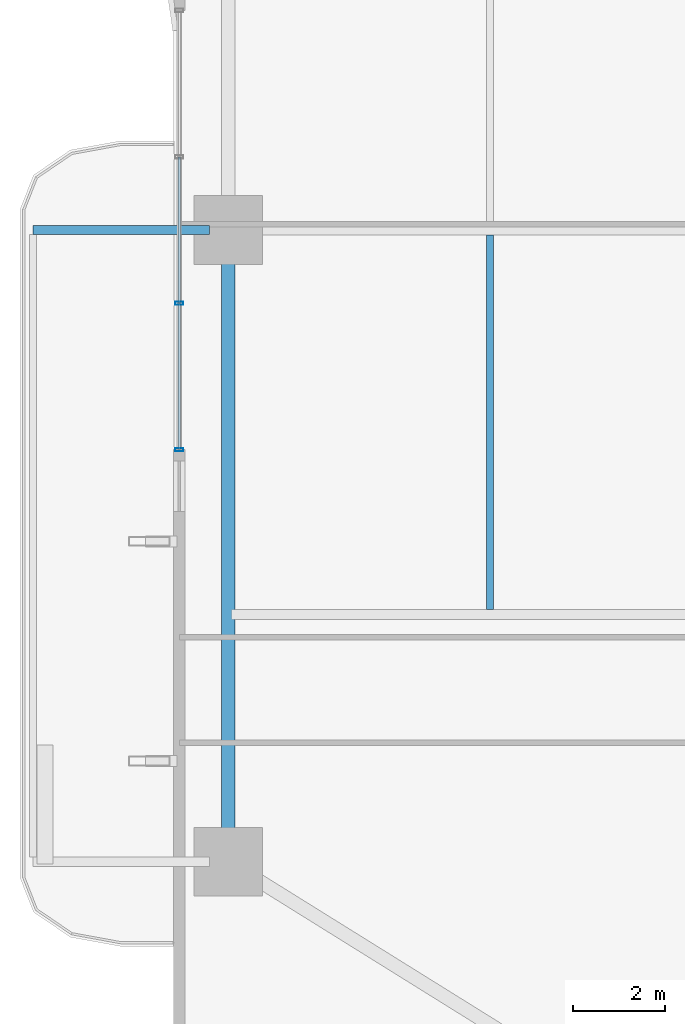
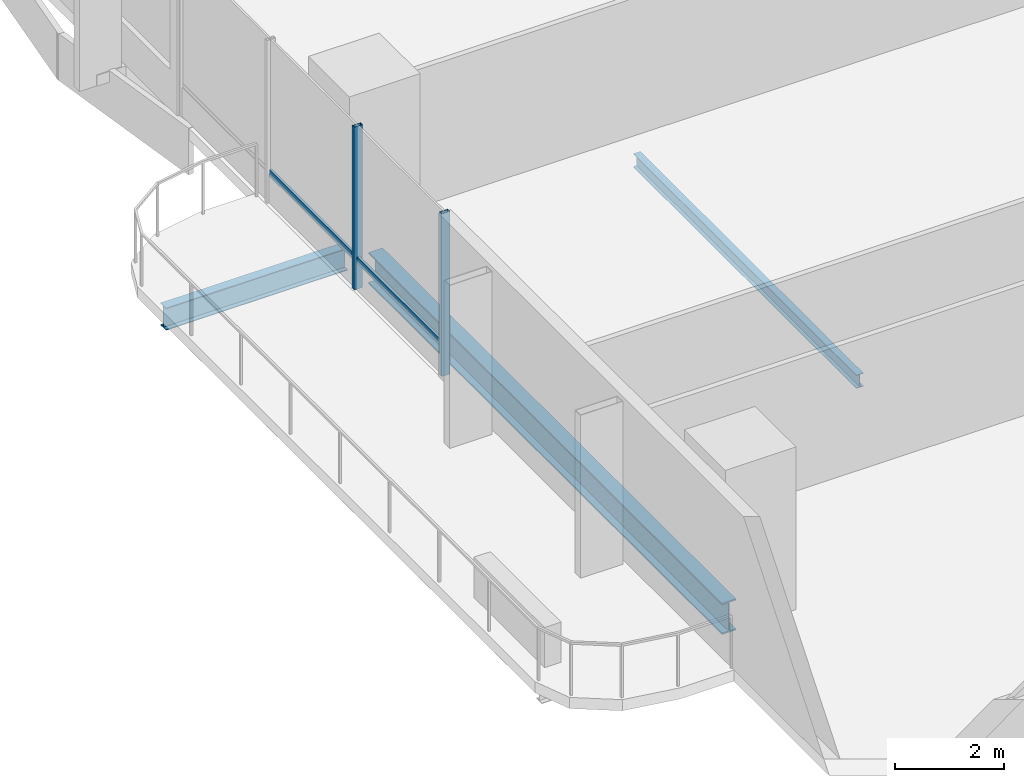
# One storey, part 4 of 24: 4 members, 3 beams, 1 element without a shape of its own.
"""IFC4 building model written with IfcOpenShell, lengths in metres."""

from ifc_helpers import new_model, si_unit, direction, frame, origin, origin_2d, place, context, subcontext, project, spatial, hollow_rectangle, i_section, extrude, material, layer, layer_set, material_profile, profile_set, type_object, element, aggregate, save


model = new_model("IFC4")

# Units and contexts
model_context = context("Model", 3, precision=1e-05, world=origin(), true_north=direction((0.0, 1.0)))
body_context = subcontext(model_context, "Body", "Model", "MODEL_VIEW")
ifc_project = project(units=[si_unit("LENGTHUNIT", "METRE"), si_unit("AREAUNIT", "SQUARE_METRE"), si_unit("VOLUMEUNIT", "CUBIC_METRE"), si_unit("PLANEANGLEUNIT", "RADIAN"), si_unit("MASSUNIT", "GRAM", prefix="KILO")], contexts=[model_context])

# Site, building, storey
site_placement = place(None, origin())
site = spatial("IfcSite", under=ifc_project, at=site_placement, CompositionType="ELEMENT")
building_placement = place(site_placement, origin())
building = spatial("IfcBuilding", under=site, at=building_placement, Name="Belovzor Exchange Tower", CompositionType="ELEMENT")
storey_placement = place(building_placement, frame((0.0, 0.0, 92.39990234375)))
storey = spatial("IfcBuildingStorey", under=building, at=storey_placement, Name="L22", CompositionType="ELEMENT", Elevation=92.39990234375)

# Beams
ifc_material_1 = material(Name="Steel S355", Category="steel")
ifc_material_profile_1 = material_profile(ifc_material_1, i_section(OverallWidth=0.199951171875, OverallDepth=0.5, WebThickness=0.01025390625, FlangeThickness=0.01611328125, at=origin_2d()))
ifc_profile_set_1 = profile_set([ifc_material_profile_1], Name="Steel S355")
beam_type_1 = type_object("IfcBeamType", Name="Planted Balcony Cantilever Beam IPE 500", PredefinedType="BEAM", material=ifc_profile_set_1)
beam_1_placement = place(storey_placement, frame((1.68798828125, 28.800048828125, -0.5), z_axis=(-1.0, 0.0, 0.0), x_axis=(0.0, -1.0, 0.0)))
element("IfcBeam", 1, at=beam_1_placement, inside=storey, type_object=beam_type_1, Name="BC-500 Planted Balcony Cantilever Beam IPE 500", PredefinedType="BEAM", context=body_context, shape_type="SweptSolid", body=[
    extrude(i_section(OverallWidth=0.199951171875, OverallDepth=0.5, WebThickness=0.01025390625, FlangeThickness=0.01611328125, at=origin_2d()), origin(), (0.0, 0.0, 1.0), 3.85009765625),
])
ifc_material_2 = material(Name="Steel S355", Category="steel")
ifc_material_profile_2 = material_profile(ifc_material_2, i_section(OverallWidth=0.14990234375, OverallDepth=0.300048828125, WebThickness=0.007080078125, FlangeThickness=0.0107421875, at=origin_2d()))
ifc_profile_set_2 = profile_set([ifc_material_profile_2], Name="Steel S355")
beam_type_2 = type_object("IfcBeamType", Name="Secondary Trim Floor Joist IPE 300", PredefinedType="BEAM", material=ifc_profile_set_2)
beam_2_placement = place(storey_placement, frame((7.81494140625, 20.5048828125, -0.39990234375), z_axis=(0.0, 1.0, 0.0), x_axis=(-1.0, 0.0, 0.0)))
element("IfcBeam", 2, at=beam_2_placement, inside=storey, type_object=beam_type_2, Name="FJ-300 Secondary Trim Floor Joist IPE 300", PredefinedType="BEAM", context=body_context, shape_type="SweptSolid", body=[
    extrude(i_section(OverallWidth=0.14990234375, OverallDepth=0.300048828125, WebThickness=0.007080078125, FlangeThickness=0.0107421875, at=origin_2d()), origin(), (0.0, 0.0, 1.0), 8.190185546875),
])

# Curtain wall, members
ifc_material_3 = material(Name="Anodised Aluminium Framing", Category="aluminium")
ifc_layer = layer(ifc_material_3, 0.179931640625)
ifc_layer_set = layer_set([ifc_layer], Name="Anodised Aluminium Framing")
curtain_wall_type = type_object("IfcCurtainWallType", Name="Recessed Loggia Low-Iron Triple-Glazed Curtain Wall", PredefinedType="NOTDEFINED", material=ifc_layer_set)
curtain_wall_placement = place(storey_placement, origin())
curtain_wall = element("IfcCurtainWall", 3, at=curtain_wall_placement, inside=storey, type_object=curtain_wall_type, Name="CW3 Recessed Loggia Low-Iron Triple-Glazed Curtain Wall L22", PredefinedType="NOTDEFINED")
ifc_material_4 = material(Name="Steel S355", Category="steel")
ifc_material_profile_3 = material_profile(ifc_material_4, hollow_rectangle(XDim=0.074951171875, YDim=0.179931640625, WallThickness=0.0048828125, at=origin_2d()))
ifc_profile_set_3 = profile_set([ifc_material_profile_3], Name="Steel S355")
member_type_1 = type_object("IfcMemberType", Name="Thermally Broken Curtain Wall Mullion 180x75", PredefinedType="MULLION", material=ifc_profile_set_3)
member_1_placement = place(storey_placement, frame((1.030029296875, 24.0, 0.0), z_axis=(0.0, 0.0, 1.0), x_axis=(0.0, 1.0, 0.0)))
member_1 = element("IfcMember", 4, at=member_1_placement, type_object=member_type_1, Name="CW-M180 Curtain Wall Mullion 1", PredefinedType="MULLION", context=body_context, shape_type="SweptSolid", body=[
    extrude(hollow_rectangle(XDim=0.074951171875, YDim=0.179931640625, WallThickness=0.0048828125, at=origin_2d()), origin(), (0.0, 0.0, 1.0), 3.650146484375),
])
member_2_placement = place(storey_placement, frame((1.030029296875, 27.199951171875, 0.0), z_axis=(0.0, 0.0, 1.0), x_axis=(0.0, 1.0, 0.0)))
member_2 = element("IfcMember", 5, at=member_2_placement, type_object=member_type_1, Name="CW-M180 Curtain Wall Mullion 2", PredefinedType="MULLION", context=body_context, shape_type="SweptSolid", body=[
    extrude(hollow_rectangle(XDim=0.074951171875, YDim=0.179931640625, WallThickness=0.0048828125, at=origin_2d()), origin(), (0.0, 0.0, 1.0), 3.650146484375),
])
ifc_material_5 = material(Name="Steel S355", Category="steel")
ifc_material_profile_4 = material_profile(ifc_material_5, hollow_rectangle(XDim=0.06005859375, YDim=0.14990234375, WallThickness=0.00390625, at=origin_2d()))
ifc_profile_set_4 = profile_set([ifc_material_profile_4], Name="Steel S355")
member_type_2 = type_object("IfcMemberType", Name="Thermally Broken Curtain Wall Transom 150x60", PredefinedType="USERDEFINED", material=ifc_profile_set_4)
member_3_placement = place(storey_placement, frame((1.030029296875, 24.008056640625, 0.650146484375), z_axis=(0.0, 1.0, 0.0), x_axis=(-1.0, 0.0, 0.0)))
member_3 = element("IfcMember", 6, at=member_3_placement, type_object=member_type_2, Name="CW-T150 Curtain Wall Transom 1", ObjectType="TRANSOM", PredefinedType="USERDEFINED", context=body_context, shape_type="SweptSolid", body=[
    extrude(hollow_rectangle(XDim=0.06005859375, YDim=0.14990234375, WallThickness=0.00390625, at=origin_2d()), origin(), (0.0, 0.0, 1.0), 3.183837890625),
])
member_4_placement = place(storey_placement, frame((1.030029296875, 27.2080078125, 0.650146484375), z_axis=(0.0, 1.0, 0.0), x_axis=(-1.0, 0.0, 0.0)))
member_4 = element("IfcMember", 7, at=member_4_placement, type_object=member_type_2, Name="CW-T150 Curtain Wall Transom 2", ObjectType="TRANSOM", PredefinedType="USERDEFINED", context=body_context, shape_type="SweptSolid", body=[
    extrude(hollow_rectangle(XDim=0.06005859375, YDim=0.14990234375, WallThickness=0.00390625, at=origin_2d()), origin(), (0.0, 0.0, 1.0), 3.18408203125),
])
aggregate(curtain_wall, [member_1, member_2, member_3, member_4])

# Beam
ifc_material_6 = material(Name="Steel S355", Category="steel")
ifc_material_profile_5 = material_profile(ifc_material_6, i_section(OverallWidth=0.300048828125, OverallDepth=0.699951171875, WebThickness=0.01708984375, FlangeThickness=0.031982421875, at=origin_2d()))
ifc_profile_set_5 = profile_set([ifc_material_profile_5], Name="Steel S355")
beam_type_3 = type_object("IfcBeamType", Name="Zone 1 Primary Perimeter Girder HEB 700", PredefinedType="BEAM", material=ifc_profile_set_5)
beam_3_placement = place(storey_placement, frame((2.10009765625, 28.386962890625, -0.599853515625), z_axis=(0.0, -1.0, 0.0), x_axis=(1.0, 0.0, 0.0)))
element("IfcBeam", 8, at=beam_3_placement, inside=storey, type_object=beam_type_3, Name="FG-Z1 Zone 1 Primary Perimeter Girder HEB 700", PredefinedType="BEAM", context=body_context, shape_type="SweptSolid", body=[
    extrude(i_section(OverallWidth=0.300048828125, OverallDepth=0.699951171875, WebThickness=0.01708984375, FlangeThickness=0.031982421875, at=origin_2d()), origin(), (0.0, 0.0, 1.0), 12.974853515625),
])

save(model, "model.ifc")
